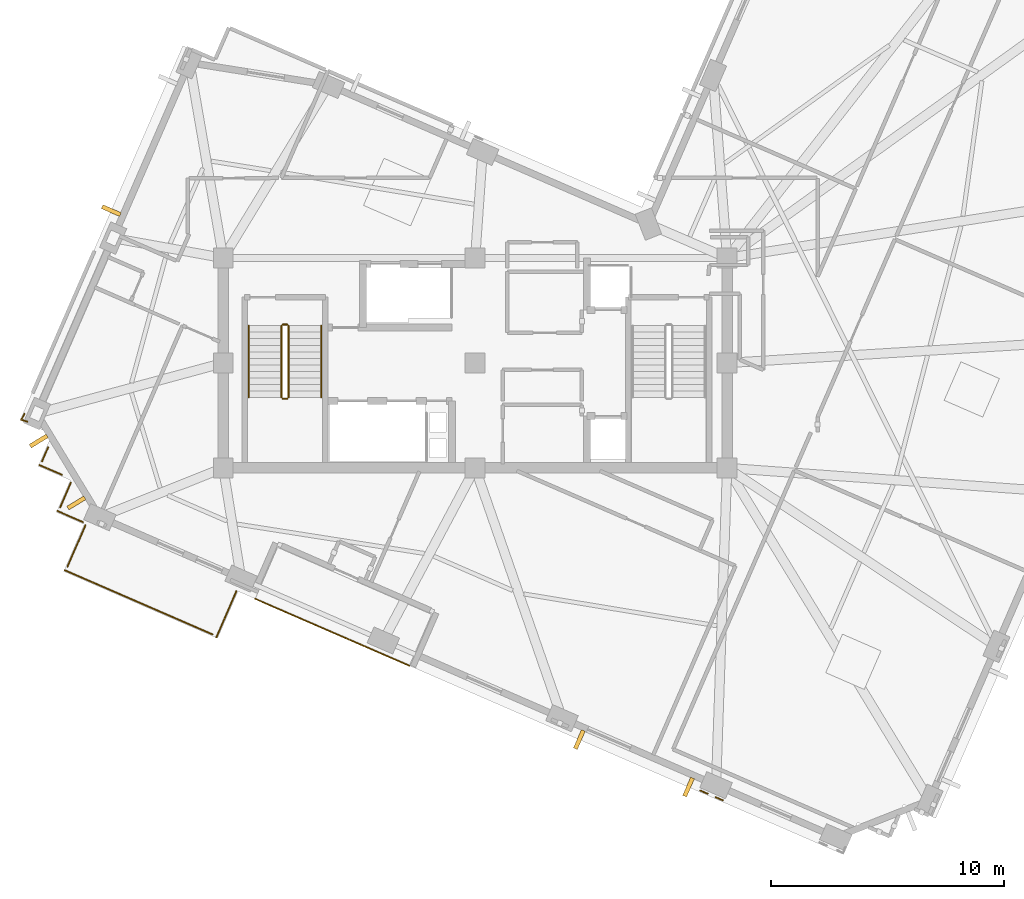
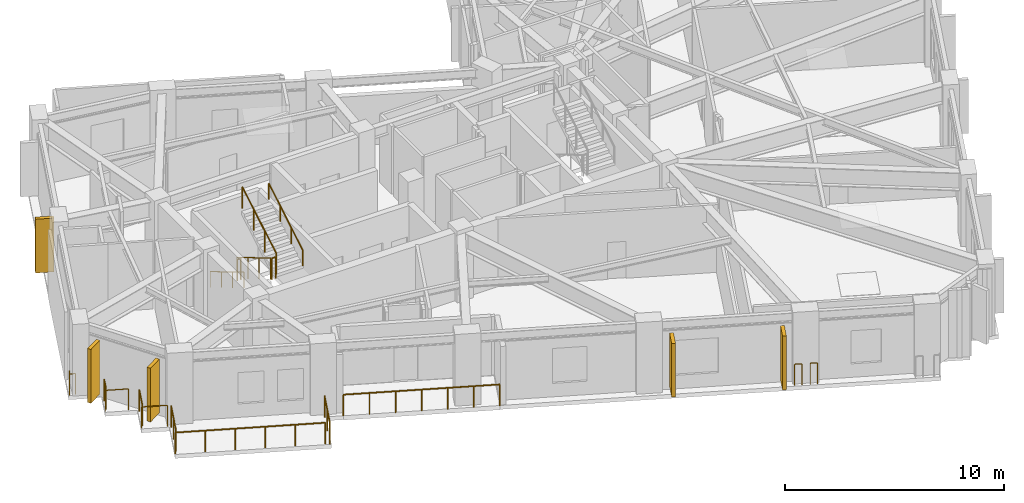
# One storey, part 9 of 12: 17 railings, 5 shading devices.
"""IFC4 building model written with IfcOpenShell, lengths in metres."""

from ifc_helpers import new_model, si_unit, direction, frame, origin, origin_2d, place, context, subcontext, project, spatial, rectangle, circle, extrude, material, layer, layer_set, type_object, element, save


model = new_model("IFC4")

# Units and contexts
model_context = context("Model", 3, precision=1e-05, world=origin(), true_north=direction((0.0, 1.0)))
body_context = subcontext(model_context, "Body", "Model", "MODEL_VIEW")
ifc_project = project(units=[si_unit("LENGTHUNIT", "METRE"), si_unit("AREAUNIT", "SQUARE_METRE"), si_unit("VOLUMEUNIT", "CUBIC_METRE"), si_unit("PLANEANGLEUNIT", "RADIAN"), si_unit("MASSUNIT", "GRAM", prefix="KILO")], contexts=[model_context])

# Site, building, storey
site_placement = place(None, origin())
site = spatial("IfcSite", under=ifc_project, at=site_placement, CompositionType="ELEMENT")
building_placement = place(site_placement, origin())
building = spatial("IfcBuilding", under=site, at=building_placement, Name="Gaonmaruhae Medical Tower", CompositionType="ELEMENT")
storey_placement = place(building_placement, frame((0.0, 0.0, 316.60009765625)))
storey = spatial("IfcBuildingStorey", under=building, at=storey_placement, Name="L76", CompositionType="ELEMENT", Elevation=316.60009765625)

# Railings
ifc_material_1 = material(Name="Stainless steel 316L and laminated safety glass", Category="steel")
ifc_layer = layer(ifc_material_1, 0.080078125)
ifc_layer_set = layer_set([ifc_layer], Name="Stainless steel 316L and laminated safety glass")
railing_type_1 = type_object("IfcRailingType", Name="GD-120 Outdoor Terrace Safety Glass & Steel Balustrade", PredefinedType="BALUSTRADE", material=ifc_layer_set)
railing_1_placement = place(storey_placement, frame((15.373779296875, 2.192626953125, 0.0)))
element("IfcRailing", 1, at=railing_1_placement, inside=storey, type_object=railing_type_1, Name="L76 Terrace Safety Guard RL-SLB-L76-TER-04", PredefinedType="BALUSTRADE", context=body_context, shape_type="SweptSolid", body=[
    extrude(circle(Radius=0.02392578125, at=origin_2d()), frame((0.0, 0.0, 1.17578125), z_axis=(0.917066282566, -0.398734790782, 0.0), x_axis=(0.398734790782, 0.917066282566, 0.0)), (0.0, 0.0, 1.0), 7.199951171875),
    extrude(circle(Radius=0.02099609375, at=origin_2d()), origin(), (0.0, 0.0, 1.0), 1.15185546875),
    extrude(circle(Radius=0.02099609375, at=origin_2d()), frame((1.1005859375, -0.478515625, 0.0)), (0.0, 0.0, 1.0), 1.15185546875),
    extrude(circle(Radius=0.02099609375, at=origin_2d()), frame((2.200927734375, -0.95703125, 0.0)), (0.0, 0.0, 1.0), 1.15185546875),
    extrude(circle(Radius=0.02099609375, at=origin_2d()), frame((3.30126953125, -1.435546875, 0.0)), (0.0, 0.0, 1.0), 1.15185546875),
    extrude(circle(Radius=0.02099609375, at=origin_2d()), frame((4.40185546875, -1.913818359375, 0.0)), (0.0, 0.0, 1.0), 1.15185546875),
    extrude(circle(Radius=0.02099609375, at=origin_2d()), frame((5.50244140625, -2.392333984375, 0.0)), (0.0, 0.0, 1.0), 1.15185546875),
    extrude(circle(Radius=0.02099609375, at=origin_2d()), frame((6.602783203125, -2.870849609375, 0.0)), (0.0, 0.0, 1.0), 1.15185546875),
])
railing_2_placement = place(storey_placement, frame((7.085693359375, 7.50830078125, 0.0)))
element("IfcRailing", 2, at=railing_2_placement, inside=storey, type_object=railing_type_1, Name="L76 Perimeter Slab Edge Safety Balustrade 01", PredefinedType="BALUSTRADE", context=body_context, shape_type="SweptSolid", body=[
    extrude(circle(Radius=0.02392578125, at=origin_2d()), frame((0.0, 0.0, 1.17578125), z_axis=(-0.917059068991, 0.398751381166, 0.0), x_axis=(-0.398751381166, -0.917059068991, 0.0)), (0.0, 0.0, 1.0), 1.059814453125),
    extrude(circle(Radius=0.02099609375, at=origin_2d()), origin(), (0.0, 0.0, 1.0), 1.15185546875),
    extrude(circle(Radius=0.02099609375, at=origin_2d()), frame((-0.971923828125, 0.422607421875, 0.0)), (0.0, 0.0, 1.0), 1.15185546875),
])
railing_3_placement = place(storey_placement, frame((6.232666015625, 8.0791015625, 0.0)))
element("IfcRailing", 3, at=railing_3_placement, inside=storey, type_object=railing_type_1, Name="L76 Perimeter Slab Edge Safety Balustrade 02", PredefinedType="BALUSTRADE", context=body_context, shape_type="SweptSolid", body=[
    extrude(circle(Radius=0.02392578125, at=origin_2d()), frame((0.0, 0.0, 1.17578125), z_axis=(0.398644977145, 0.917105327755, 0.0), x_axis=(-0.917105327755, 0.398644977145, 0.0)), (0.0, 0.0, 1.0), 0.66015625),
    extrude(circle(Radius=0.02099609375, at=origin_2d()), origin(), (0.0, 0.0, 1.0), 1.15185546875),
    extrude(circle(Radius=0.02099609375, at=origin_2d()), frame((0.26318359375, 0.60546875, 0.0)), (0.0, 0.0, 1.0), 1.15185546875),
])
railing_4_placement = place(storey_placement, frame((35.422119140625, -6.4482421875, 0.0)))
element("IfcRailing", 4, at=railing_4_placement, inside=storey, type_object=railing_type_1, Name="L76 Perimeter Slab Edge Safety Balustrade 10", PredefinedType="BALUSTRADE", context=body_context, shape_type="SweptSolid", body=[
    extrude(circle(Radius=0.02392578125, at=origin_2d()), frame((0.0, 0.0, 1.17578125), z_axis=(-0.917275651607, 0.3982529083, 0.0), x_axis=(-0.3982529083, -0.917275651607, 0.0)), (0.0, 0.0, 1.0), 0.339599609375),
    extrude(circle(Radius=0.02099609375, at=origin_2d()), origin(), (0.0, 0.0, 1.0), 1.15185546875),
    extrude(circle(Radius=0.02099609375, at=origin_2d()), frame((-0.3115234375, 0.13525390625, 0.0)), (0.0, 0.0, 1.0), 1.15185546875),
])
railing_5_placement = place(storey_placement, frame((34.76318359375, -6.161865234375, 0.0)))
element("IfcRailing", 5, at=railing_5_placement, inside=storey, type_object=railing_type_1, Name="L76 Perimeter Slab Edge Safety Balustrade 11", PredefinedType="BALUSTRADE", context=body_context, shape_type="SweptSolid", body=[
    extrude(circle(Radius=0.02392578125, at=origin_2d()), frame((0.0, 0.0, 1.17578125), z_axis=(-0.917012919483, 0.398857500245, 0.0), x_axis=(-0.398857500245, -0.917012919483, 0.0)), (0.0, 0.0, 1.0), 0.339599609375),
    extrude(circle(Radius=0.02099609375, at=origin_2d()), origin(), (0.0, 0.0, 1.0), 1.15185546875),
    extrude(circle(Radius=0.02099609375, at=origin_2d()), frame((-0.3115234375, 0.135498046875, 0.0)), (0.0, 0.0, 1.0), 1.15185546875),
])
railing_6_placement = place(storey_placement, frame((14.56787109375, 2.521240234375, 0.0)))
element("IfcRailing", 6, at=railing_6_placement, inside=storey, type_object=railing_type_1, Name="L76 Perimeter Slab Edge Safety Balustrade 12", PredefinedType="BALUSTRADE", context=body_context, shape_type="SweptSolid", body=[
    extrude(circle(Radius=0.02392578125, at=origin_2d()), frame((0.0, 0.0, 1.17578125), z_axis=(-0.398783975406, -0.917044895825, 0.0), x_axis=(0.917044895825, -0.398783975406, 0.0)), (0.0, 0.0, 1.0), 2.159912109375),
    extrude(circle(Radius=0.02099609375, at=origin_2d()), origin(), (0.0, 0.0, 1.0), 1.15185546875),
    extrude(circle(Radius=0.02099609375, at=origin_2d()), frame((-0.4306640625, -0.990234375, 0.0)), (0.0, 0.0, 1.0), 1.15185546875),
    extrude(circle(Radius=0.02099609375, at=origin_2d()), frame((-0.861328125, -1.980712890625, 0.0)), (0.0, 0.0, 1.0), 1.15185546875),
])
railing_7_placement = place(storey_placement, frame((13.5419921875, 0.66650390625, 0.0)))
element("IfcRailing", 7, at=railing_7_placement, inside=storey, type_object=railing_type_1, Name="L76 Perimeter Slab Edge Safety Balustrade 13", PredefinedType="BALUSTRADE", context=body_context, shape_type="SweptSolid", body=[
    extrude(circle(Radius=0.02392578125, at=origin_2d()), frame((0.0, 0.0, 1.17578125), z_axis=(-0.917057695923, 0.398754538969, 0.0), x_axis=(-0.398754538969, -0.917057695923, 0.0)), (0.0, 0.0, 1.0), 6.90869140625),
    extrude(circle(Radius=0.02099609375, at=origin_2d()), origin(), (0.0, 0.0, 1.0), 1.15185546875),
    extrude(circle(Radius=0.02099609375, at=origin_2d()), frame((-1.26708984375, 0.551025390625, 0.0)), (0.0, 0.0, 1.0), 1.15185546875),
    extrude(circle(Radius=0.02099609375, at=origin_2d()), frame((-2.5341796875, 1.10205078125, 0.0)), (0.0, 0.0, 1.0), 1.15185546875),
    extrude(circle(Radius=0.02099609375, at=origin_2d()), frame((-3.801513671875, 1.65283203125, 0.0)), (0.0, 0.0, 1.0), 1.15185546875),
    extrude(circle(Radius=0.02099609375, at=origin_2d()), frame((-5.068603515625, 2.203857421875, 0.0)), (0.0, 0.0, 1.0), 1.15185546875),
    extrude(circle(Radius=0.02099609375, at=origin_2d()), frame((-6.335693359375, 2.7548828125, 0.0)), (0.0, 0.0, 1.0), 1.15185546875),
])
railing_8_placement = place(storey_placement, frame((7.3271484375, 3.57421875, 0.0)))
element("IfcRailing", 8, at=railing_8_placement, inside=storey, type_object=railing_type_1, Name="L76 Perimeter Slab Edge Safety Balustrade 14", PredefinedType="BALUSTRADE", context=body_context, shape_type="SweptSolid", body=[
    extrude(circle(Radius=0.02392578125, at=origin_2d()), frame((0.0, 0.0, 1.17578125), z_axis=(0.398805086, 0.917035715434, 0.0), x_axis=(-0.917035715434, 0.398805086, 0.0)), (0.0, 0.0, 1.0), 1.921630859375),
    extrude(circle(Radius=0.02099609375, at=origin_2d()), origin(), (0.0, 0.0, 1.0), 1.15185546875),
    extrude(circle(Radius=0.02099609375, at=origin_2d()), frame((0.38330078125, 0.881103515625, 0.0)), (0.0, 0.0, 1.0), 1.15185546875),
    extrude(circle(Radius=0.02099609375, at=origin_2d()), frame((0.766357421875, 1.76220703125, 0.0)), (0.0, 0.0, 1.0), 1.15185546875),
])
railing_9_placement = place(storey_placement, frame((7.989501953125, 5.479736328125, 0.0)))
element("IfcRailing", 9, at=railing_9_placement, inside=storey, type_object=railing_type_1, Name="L76 Perimeter Slab Edge Safety Balustrade 15", PredefinedType="BALUSTRADE", context=body_context, shape_type="SweptSolid", body=[
    extrude(circle(Radius=0.02392578125, at=origin_2d()), frame((0.0, 0.0, 1.17578125), z_axis=(-0.91704412386, 0.398785750616, 0.0), x_axis=(-0.398785750616, -0.91704412386, 0.0)), (0.0, 0.0, 1.0), 1.197509765625),
    extrude(circle(Radius=0.02099609375, at=origin_2d()), origin(), (0.0, 0.0, 1.0), 1.15185546875),
    extrude(circle(Radius=0.02099609375, at=origin_2d()), frame((-1.09814453125, 0.4775390625, 0.0)), (0.0, 0.0, 1.0), 1.15185546875),
])
railing_10_placement = place(storey_placement, frame((7.01025390625, 6.10546875, 0.0)))
element("IfcRailing", 10, at=railing_10_placement, inside=storey, type_object=railing_type_1, Name="L76 Perimeter Slab Edge Safety Balustrade 16", PredefinedType="BALUSTRADE", context=body_context, shape_type="SweptSolid", body=[
    extrude(circle(Radius=0.02392578125, at=origin_2d()), frame((0.0, 0.0, 1.17578125), z_axis=(0.398664536879, 0.917096825333, 0.0), x_axis=(-0.917096825333, 0.398664536879, 0.0)), (0.0, 0.0, 1.0), 1.159912109375),
    extrude(circle(Radius=0.02099609375, at=origin_2d()), origin(), (0.0, 0.0, 1.0), 1.15185546875),
    extrude(circle(Radius=0.02099609375, at=origin_2d()), frame((0.46240234375, 1.063720703125, 0.0)), (0.0, 0.0, 1.0), 1.15185546875),
])
railing_11_placement = place(storey_placement, frame((5.611572265625, 9.78515625, 0.0)))
element("IfcRailing", 11, at=railing_11_placement, inside=storey, type_object=railing_type_1, Name="L76 Perimeter Corner Safety Balustrade 17", PredefinedType="BALUSTRADE", context=body_context, shape_type="SweptSolid", body=[
    extrude(circle(Radius=0.02392578125, at=origin_2d()), frame((0.0, 0.0, 1.17578125), z_axis=(-0.958849549831, 0.28391467167, 0.0), x_axis=(-0.28391467167, -0.958849549831, 0.0)), (0.0, 0.0, 1.0), 0.287109375),
    extrude(circle(Radius=0.02392578125, at=origin_2d()), frame((-0.275390625, 0.08154296875, 1.17578125), z_axis=(0.507726124509, 0.861518532877, 0.0), x_axis=(-0.861518532877, 0.507726124509, 0.0)), (0.0, 0.0, 1.0), 0.287109375),
    extrude(circle(Radius=0.02099609375, at=origin_2d()), origin(), (0.0, 0.0, 1.0), 1.15185546875),
    extrude(circle(Radius=0.02099609375, at=origin_2d()), frame((-0.275390625, 0.08154296875, 0.0)), (0.0, 0.0, 1.0), 1.15185546875),
    extrude(circle(Radius=0.02099609375, at=origin_2d()), frame((-0.129638671875, 0.328857421875, 0.0)), (0.0, 0.0, 1.0), 1.15185546875),
])
ifc_material_2 = material(Name="Stainless steel 304 handrail", Category="steel")
railing_type_2 = type_object("IfcRailingType", Name="HR-092 Continuous Stainless Steel Stair Handrail", PredefinedType="HANDRAIL", material=ifc_material_2)
railing_12_placement = place(storey_placement, frame((15.10009765625, 13.89990234375, 0.16650390625)))
element("IfcRailing", 12, at=railing_12_placement, inside=storey, type_object=railing_type_2, Name="L76 ST-01 stair handrail 1", PredefinedType="HANDRAIL", context=body_context, shape_type="SweptSolid", body=[
    extrude(circle(Radius=0.02392578125, at=origin_2d()), frame((0.0, 0.0, 0.8759765625), z_axis=(0.0, -0.859260807169, 0.511537745687), x_axis=(1.0, 0.0, 0.0)), (0.0, 0.0, 1.0), 3.584228515625),
    extrude(circle(Radius=0.02099609375, at=origin_2d()), origin(), (0.0, 0.0, 1.0), 0.851806640625),
    extrude(circle(Radius=0.02099609375, at=origin_2d()), frame((0.0, -1.026611328125, 0.611083984375)), (0.0, 0.0, 1.0), 0.851806640625),
    extrude(circle(Radius=0.02099609375, at=origin_2d()), frame((0.0, -2.05322265625, 1.222412109375)), (0.0, 0.0, 1.0), 0.851806640625),
    extrude(circle(Radius=0.02099609375, at=origin_2d()), frame((0.0, -3.079833984375, 1.83349609375)), (0.0, 0.0, 1.0), 0.851806640625),
])
railing_13_placement = place(storey_placement, frame((18.199951171875, 10.820068359375, 2.16650390625)))
element("IfcRailing", 13, at=railing_13_placement, inside=storey, type_object=railing_type_2, Name="L76 ST-01 stair handrail 2", PredefinedType="HANDRAIL", context=body_context, shape_type="SweptSolid", body=[
    extrude(circle(Radius=0.02392578125, at=origin_2d()), frame((0.0, 0.0, 0.8759765625), z_axis=(0.0, 0.859260807169, 0.511537745687), x_axis=(-1.0, 0.0, 0.0)), (0.0, 0.0, 1.0), 3.584228515625),
    extrude(circle(Radius=0.02099609375, at=origin_2d()), origin(), (0.0, 0.0, 1.0), 0.851806640625),
    extrude(circle(Radius=0.02099609375, at=origin_2d()), frame((0.0, 1.026611328125, 0.611083984375)), (0.0, 0.0, 1.0), 0.851806640625),
    extrude(circle(Radius=0.02099609375, at=origin_2d()), frame((0.0, 2.05322265625, 1.222412109375)), (0.0, 0.0, 1.0), 0.851806640625),
    extrude(circle(Radius=0.02099609375, at=origin_2d()), frame((0.0, 3.079833984375, 1.83349609375)), (0.0, 0.0, 1.0), 0.851806640625),
])

# Shading devices
ifc_material_3 = material(Name="Pigmented coral precast concrete C45/55", Category="concrete")
shading_device_type = type_object("IfcShadingDeviceType", Name="SD-FIN1 Tower Vertical Coral Precast Shading Fin", PredefinedType="USERDEFINED", material=ifc_material_3)
for number, where, z_axis, x_axis, name in (
    (14, (9.201416015625, 18.831298828125, 0.13232421875), (0.0, 0.0, 1.0), (0.398749068925, 0.917060074385, 0.0), "L76 Vertical Coral Precast Shading Fin N01"),
    (15, (7.705322265625, 6.2998046875, 0.13232421875), (0.0, 0.0, 1.0), (-0.519250650088, 0.854621999707, 0.0), "L76 Vertical Coral Precast Shading Fin N03"),
    (16, (6.091796875, 8.955322265625, 0.13232421875), (0.0, 0.0, 1.0), (-0.519250650088, 0.854621999707, 0.0), "L76 Vertical Coral Precast Shading Fin N03B"),
    (17, (33.948486328125, -5.87841796875, 0.13232421875), (0.0, 0.0, 1.0), (-0.917060074385, 0.398749068925, 0.0), "L76 Vertical Coral Precast Shading Fin W04"),
    (18, (29.266845703125, -3.8427734375, 0.13232421875), (0.0, 0.0, 1.0), (-0.917060074385, 0.398749068925, 0.0), "L76 Vertical Coral Precast Shading Fin W04B"),
):
    element("IfcShadingDevice", number, at=place(storey_placement, frame(where, z_axis=z_axis, x_axis=x_axis)), inside=storey, type_object=shading_device_type, Name=name, ObjectType="FIN", PredefinedType="USERDEFINED", context=body_context, shape_type="SweptSolid", body=[
        extrude(rectangle(XDim=0.179931640625, YDim=0.85009765625, at=origin_2d()), origin(), (0.0, 0.0, 1.0), 3.0),
    ])

# Railings
ifc_material_4 = material(Name="Stainless steel 304 balustrade", Category="steel")
railing_type_3 = type_object("IfcRailingType", Name="SG-112 Stair Well & Ramp Void Safety Balustrade", PredefinedType="BALUSTRADE", material=ifc_material_4)
railing_14_placement = place(storey_placement, frame((16.5, 13.89990234375, 0.16650390625)))
element("IfcRailing", 19, at=railing_14_placement, inside=storey, type_object=railing_type_3, Name="L76 ST-01 stair guard 1", PredefinedType="BALUSTRADE", context=body_context, shape_type="SweptSolid", body=[
    extrude(circle(Radius=0.02392578125, at=origin_2d()), frame((0.0, 0.0, 1.17578125), z_axis=(0.0, -0.859260807169, 0.511537745687), x_axis=(1.0, 0.0, 0.0)), (0.0, 0.0, 1.0), 3.584228515625),
    extrude(circle(Radius=0.02099609375, at=origin_2d()), origin(), (0.0, 0.0, 1.0), 1.15185546875),
    extrude(circle(Radius=0.02099609375, at=origin_2d()), frame((0.0, -1.026611328125, 0.611083984375)), (0.0, 0.0, 1.0), 1.15185546875),
    extrude(circle(Radius=0.02099609375, at=origin_2d()), frame((0.0, -2.05322265625, 1.222412109375)), (0.0, 0.0, 1.0), 1.15185546875),
    extrude(circle(Radius=0.02099609375, at=origin_2d()), frame((0.0, -3.079833984375, 1.83349609375)), (0.0, 0.0, 1.0), 1.15185546875),
])
railing_15_placement = place(storey_placement, frame((16.550048828125, 10.77001953125, 2.0)))
element("IfcRailing", 20, at=railing_15_placement, inside=storey, type_object=railing_type_3, Name="L76 ST-01 stair guard 2", PredefinedType="BALUSTRADE", context=body_context, shape_type="SweptSolid", body=[
    extrude(circle(Radius=0.02392578125, at=origin_2d()), frame((0.0, 0.0, 1.17578125), z_axis=(1.0, 0.0, 0.0), x_axis=(0.0, 1.0, 0.0)), (0.0, 0.0, 1.0), 0.199951171875),
    extrude(circle(Radius=0.02099609375, at=origin_2d()), origin(), (0.0, 0.0, 1.0), 1.15185546875),
    extrude(circle(Radius=0.02099609375, at=origin_2d()), frame((0.199951171875, 0.0, 0.0)), (0.0, 0.0, 1.0), 1.15185546875),
])
railing_16_placement = place(storey_placement, frame((16.800048828125, 10.820068359375, 2.16650390625)))
element("IfcRailing", 21, at=railing_16_placement, inside=storey, type_object=railing_type_3, Name="L76 ST-01 stair guard 3", PredefinedType="BALUSTRADE", context=body_context, shape_type="SweptSolid", body=[
    extrude(circle(Radius=0.02392578125, at=origin_2d()), frame((0.0, 0.0, 1.17578125), z_axis=(0.0, 0.859260807169, 0.511537745687), x_axis=(-1.0, 0.0, 0.0)), (0.0, 0.0, 1.0), 3.584228515625),
    extrude(circle(Radius=0.02099609375, at=origin_2d()), origin(), (0.0, 0.0, 1.0), 1.15185546875),
    extrude(circle(Radius=0.02099609375, at=origin_2d()), frame((0.0, 1.026611328125, 0.611083984375)), (0.0, 0.0, 1.0), 1.15185546875),
    extrude(circle(Radius=0.02099609375, at=origin_2d()), frame((0.0, 2.05322265625, 1.222412109375)), (0.0, 0.0, 1.0), 1.15185546875),
    extrude(circle(Radius=0.02099609375, at=origin_2d()), frame((0.0, 3.079833984375, 1.83349609375)), (0.0, 0.0, 1.0), 1.15185546875),
])
railing_17_placement = place(storey_placement, frame((16.550048828125, 13.949951171875, 0.0)))
element("IfcRailing", 22, at=railing_17_placement, inside=storey, type_object=railing_type_3, Name="L76 ST-01 stair guard 4", PredefinedType="BALUSTRADE", context=body_context, shape_type="SweptSolid", body=[
    extrude(circle(Radius=0.02392578125, at=origin_2d()), frame((0.0, 0.0, 1.17578125), z_axis=(1.0, 0.0, 0.0), x_axis=(0.0, 1.0, 0.0)), (0.0, 0.0, 1.0), 0.199951171875),
    extrude(circle(Radius=0.02099609375, at=origin_2d()), origin(), (0.0, 0.0, 1.0), 1.15185546875),
    extrude(circle(Radius=0.02099609375, at=origin_2d()), frame((0.199951171875, 0.0, 0.0)), (0.0, 0.0, 1.0), 1.15185546875),
])

save(model, "model.ifc")
